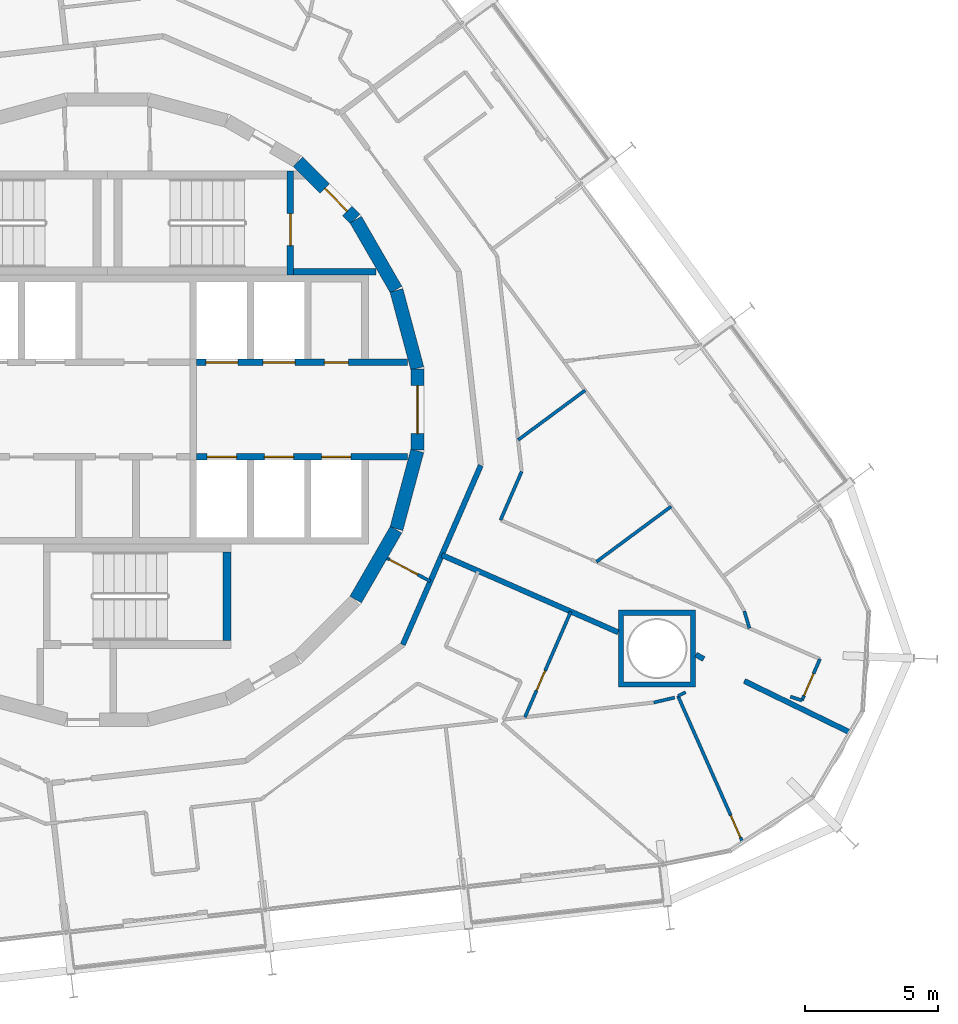
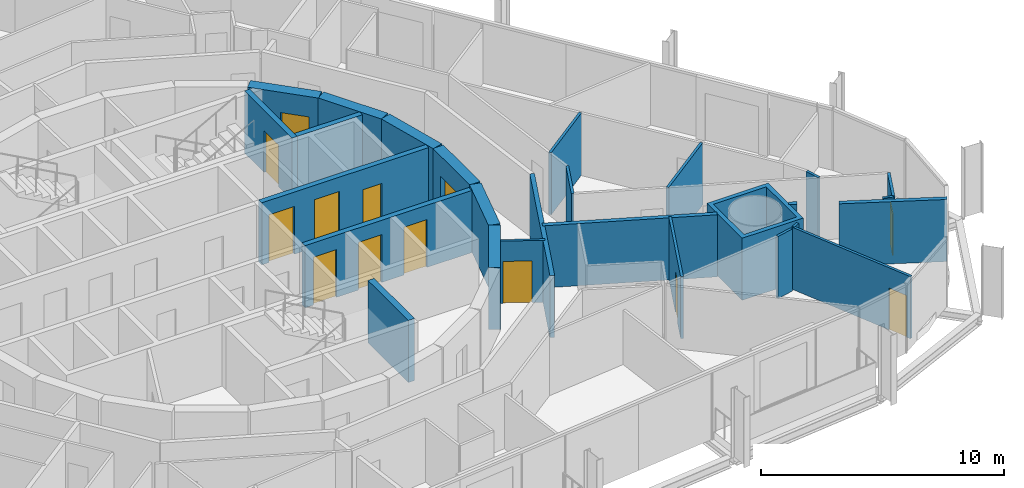
# One storey, part 17 of 22: 27 walls, 13 doors, 13 openings.
"""IFC4 building model written with IfcOpenShell, lengths in metres."""

from ifc_helpers import new_model, si_unit, direction, frame, frame_2d, origin, place, context, subcontext, project, spatial, polyline, rectangle, outline, extrude, material, layer, layer_set, type_object, element, fill, save


model = new_model("IFC4")

# Units and contexts
model_context = context("Model", 3, precision=1e-05, world=origin(), true_north=direction((0.0, 1.0)))
body_context = subcontext(model_context, "Body", "Model", "MODEL_VIEW")
ifc_project = project(units=[si_unit("LENGTHUNIT", "METRE"), si_unit("AREAUNIT", "SQUARE_METRE"), si_unit("VOLUMEUNIT", "CUBIC_METRE"), si_unit("PLANEANGLEUNIT", "RADIAN"), si_unit("MASSUNIT", "GRAM", prefix="KILO")], contexts=[model_context])

# Site, building, storey
site_placement = place(None, origin())
site = spatial("IfcSite", under=ifc_project, at=site_placement, CompositionType="ELEMENT")
building_placement = place(site_placement, origin())
building = spatial("IfcBuilding", under=site, at=building_placement, Name="Spindle Arch Residences", CompositionType="ELEMENT")
storey_placement = place(building_placement, frame((0.0, 0.0, 80.199951171875)))
storey = spatial("IfcBuildingStorey", under=building, at=storey_placement, Name="L18", CompositionType="ELEMENT", Elevation=80.199951171875)

# Walls
ifc_material_1 = material(Name="Concrete C50/60", Category="concrete")
ifc_layer_1 = layer(ifc_material_1, 0.5)
ifc_layer_set_1 = layer_set([ifc_layer_1], Name="Core outline wall 500")
wall_type_1 = type_object("IfcWallType", Name="Core outline wall 500", PredefinedType="SHEAR", material=ifc_layer_set_1)
for number, where, z_axis, x_axis, name in (
    (1, (9.32861328125, -7.13671875, 0.0), (0.0, 0.0, 1.0), (0.500087131594, 0.865975092491, 0.0), "Core outline wall 4"),
    (2, (10.858154296875, -4.479248046875, 0.0), (0.0, 0.0, 1.0), (0.258734743916, 0.965948410781, 0.0), "Core outline wall 5"),
):
    element("IfcWall", number, at=place(storey_placement, frame(where, z_axis=z_axis, x_axis=x_axis)), inside=storey, type_object=wall_type_1, Name=name, PredefinedType="SHEAR", context=body_context, shape_type="SweptSolid", body=[
        extrude(rectangle(XDim=3.03271484375, YDim=0.5, at=frame_2d((1.516357421875, 0.0))), origin(), (0.0, 0.0, 1.0), 3.1201171875),
    ])

# Wall, opening, door
wall_1_placement = place(storey_placement, frame((11.647216796875, -1.516357421875, 0.0), z_axis=(0.0, 0.0, 1.0), x_axis=(0.0, 1.0, 0.0)))
wall_1 = element("IfcWall", 3, at=wall_1_placement, inside=storey, type_object=wall_type_1, Name="Core outline wall 6", PredefinedType="SHEAR", context=body_context, shape_type="SweptSolid", body=[
    extrude(rectangle(XDim=3.03271484375, YDim=0.5, at=frame_2d((1.516357421875, 0.0))), origin(), (0.0, 0.0, 1.0), 3.1201171875),
])
opening_1_placement = place(wall_1_placement, frame((0.6162109375, 0.0, 0.0)))
opening_1 = element("IfcOpeningElement", 4, at=opening_1_placement, cuts=wall_1, Name="Opening R2A1-FE01", PredefinedType="OPENING", context=body_context, shape_type="SweptSolid", body=[
    extrude(rectangle(XDim=1.800048828125, YDim=2.10009765625, at=frame_2d((0.89990234375, 1.050048828125))), frame((0.0, 0.260009765625, 0.0), z_axis=(0.0, -1.0, 0.0), x_axis=(1.0, 0.0, 0.0)), (0.0, 0.0, 1.0), 0.52001953125),
])
ifc_material_2 = material(Name="Steel, fire-resisting door", Category="steel")
door_type_1 = type_object("IfcDoorType", Name="Fire-lift lobby door 1800x2100", OperationType="DOUBLE_DOOR_SINGLE_SWING", PredefinedType="DOOR", material=ifc_material_2)
door_1_placement = place(opening_1_placement, origin())
door_1 = element("IfcDoor", 5, at=door_1_placement, inside=storey, type_object=door_type_1, Name="Fire-lift lobby door R2A1-FE01", OperationType="DOUBLE_DOOR_SINGLE_SWING", OverallHeight=2.10009765625, OverallWidth=1.800048828125, PredefinedType="DOOR", context=body_context, shape_type="SweptSolid", body=[
    extrude(rectangle(XDim=1.800048828125, YDim=2.10009765625, at=frame_2d((0.89990234375, 1.050048828125))), frame((0.0, 0.02490234375, 0.0), z_axis=(0.0, -1.0, 0.0), x_axis=(1.0, 0.0, 0.0)), (0.0, 0.0, 1.0), 0.050048828125),
])
fill(opening_1, door_1)

# Walls
for number, where, z_axis, x_axis, name in (
    (6, (11.642822265625, 1.5498046875, 0.0), (0.0, 0.0, 1.0), (-0.258734743916, 0.965948410781, 0.0), "Core outline wall 7"),
    (7, (10.84521484375, 4.510498046875, 0.0), (0.0, 0.0, 1.0), (-0.500087131594, 0.865975092491, 0.0), "Core outline wall 8"),
):
    element("IfcWall", number, at=place(storey_placement, frame(where, z_axis=z_axis, x_axis=x_axis)), inside=storey, type_object=wall_type_1, Name=name, PredefinedType="SHEAR", context=body_context, shape_type="SweptSolid", body=[
        extrude(rectangle(XDim=3.03271484375, YDim=0.5, at=frame_2d((1.516357421875, 0.0))), origin(), (0.0, 0.0, 1.0), 3.1201171875),
    ])

# Wall, opening, door
wall_2_placement = place(storey_placement, frame((9.30810546875, 7.163818359375, 0.0), z_axis=(0.0, 0.0, 1.0), x_axis=(-0.707106781187, 0.707106781187, 0.0)))
wall_2 = element("IfcWall", 8, at=wall_2_placement, inside=storey, type_object=wall_type_1, Name="Core outline wall 9", PredefinedType="SHEAR", context=body_context, shape_type="SweptSolid", body=[
    extrude(rectangle(XDim=3.032470703125, YDim=0.5, at=frame_2d((1.51611328125, 0.0))), origin(), (0.0, 0.0, 1.0), 3.1201171875),
])
opening_2_placement = place(wall_2_placement, frame((0.416259765625, 0.0, 0.0)))
opening_2 = element("IfcOpeningElement", 9, at=opening_2_placement, cuts=wall_2, Name="Opening R2A1-AD01", PredefinedType="OPENING", context=body_context, shape_type="SweptSolid", body=[
    extrude(rectangle(XDim=1.199951171875, YDim=2.10009765625, at=frame_2d((0.60009765625, 1.050048828125))), frame((0.0, 0.260009765625, 0.0), z_axis=(0.0, -1.0, 0.0), x_axis=(1.0, 0.0, 0.0)), (0.0, 0.0, 1.0), 0.52001953125),
])
ifc_material_3 = material(Name="Steel, fire-resisting door", Category="steel")
door_type_2 = type_object("IfcDoorType", Name="Stair airlock door 1200x2100", OperationType="SINGLE_SWING_LEFT", PredefinedType="DOOR", material=ifc_material_3)
door_2_placement = place(opening_2_placement, origin())
door_2 = element("IfcDoor", 10, at=door_2_placement, inside=storey, type_object=door_type_2, Name="Stair airlock door R2A1-AD01", OperationType="SINGLE_SWING_RIGHT", OverallHeight=2.10009765625, OverallWidth=1.199951171875, PredefinedType="DOOR", context=body_context, shape_type="SweptSolid", body=[
    extrude(rectangle(XDim=1.199951171875, YDim=2.10009765625, at=frame_2d((0.60009765625, 1.050048828125))), frame((0.0, 0.02490234375, 0.0), z_axis=(0.0, -1.0, 0.0), x_axis=(1.0, 0.0, 0.0)), (0.0, 0.0, 1.0), 0.050048828125),
])
fill(opening_2, door_2)

ifc_material_4 = material(Name="Plasterboard on steel studs", Category="steel")
ifc_layer_2 = layer(ifc_material_4, 0.1201171875)
ifc_layer_set_2 = layer_set([ifc_layer_2], Name="Corridor division wall 120")
wall_type_2 = type_object("IfcWallType", Name="Corridor division wall 120", PredefinedType="PARTITIONING", material=ifc_layer_set_2)
wall_3_placement = place(storey_placement, frame((10.510986328125, -5.5888671875, 0.0), z_axis=(0.0, 0.0, 1.0), x_axis=(0.882962602189, -0.469443333253, 0.0)))
wall_3 = element("IfcWall", 11, at=wall_3_placement, inside=storey, type_object=wall_type_2, Name="Corridor division wall R2A1-W002", PredefinedType="PARTITIONING", context=body_context, shape_type="SweptSolid", body=[
    extrude(rectangle(XDim=1.837890625, YDim=0.1201171875, at=frame_2d((0.9189453125, 0.0))), origin(), (0.0, 0.0, 1.0), 3.1201171875),
])
opening_3_placement = place(wall_3_placement, frame((0.10009765625, 0.0, 0.0)))
opening_3 = element("IfcOpeningElement", 12, at=opening_3_placement, cuts=wall_3, Name="Opening R2A1-CD02", PredefinedType="OPENING", context=body_context, shape_type="SweptSolid", body=[
    extrude(rectangle(XDim=1.199951171875, YDim=2.10009765625, at=frame_2d((0.60009765625, 1.050048828125))), frame((0.0, 0.070068359375, 0.0), z_axis=(0.0, -1.0, 0.0), x_axis=(1.0, 0.0, 0.0)), (0.0, 0.0, 1.0), 0.14013671875),
])
ifc_material_5 = material(Name="Steel, fire-resisting door", Category="steel")
door_type_3 = type_object("IfcDoorType", Name="Corridor division door 1200x2100", OperationType="NOTDEFINED", PredefinedType="DOOR", material=ifc_material_5)
door_3_placement = place(opening_3_placement, origin())
door_3 = element("IfcDoor", 13, at=door_3_placement, inside=storey, type_object=door_type_3, Name="Corridor division door R2A1-CD02", OperationType="DOUBLE_DOOR_SINGLE_SWING", OverallHeight=2.10009765625, OverallWidth=1.199951171875, PredefinedType="DOOR", context=body_context, shape_type="SweptSolid", body=[
    extrude(rectangle(XDim=1.199951171875, YDim=2.10009765625, at=frame_2d((0.60009765625, 1.050048828125))), frame((0.0, 0.02490234375, 0.0), z_axis=(0.0, -1.0, 0.0), x_axis=(1.0, 0.0, 0.0)), (0.0, 0.0, 1.0), 0.050048828125),
])
fill(opening_3, door_3)

# Wall
ifc_material_6 = material(Name="Calcium silicate block, plastered")
ifc_layer_3 = layer(ifc_material_6, 0.199951171875)
ifc_layer_set_3 = layer_set([ifc_layer_3], Name="Corridor wall 200")
wall_type_3 = type_object("IfcWallType", Name="Corridor wall 200", PredefinedType="STANDARD", material=ifc_layer_set_3)
wall_4_placement = place(storey_placement, frame((11.10009765625, -8.829345703125, 0.0), z_axis=(0.0, 0.0, 1.0), x_axis=(0.398741918631, 0.917063183388, 0.0)))
element("IfcWall", 14, at=wall_4_placement, inside=storey, type_object=wall_type_3, Name="Corridor wall R2A1-W004", PredefinedType="STANDARD", context=body_context, shape_type="SweptSolid", body=[
    extrude(rectangle(XDim=7.341796875, YDim=0.199951171875, at=frame_2d((3.6708984375, 0.0))), origin(), (0.0, 0.0, 1.0), 3.1201171875),
])

# Wall, openings, doors
ifc_material_7 = material(Name="Concrete C40/50", Category="concrete")
ifc_layer_4 = layer(ifc_material_7, 0.25)
ifc_layer_set_4 = layer_set([ifc_layer_4], Name="Fire-lift lobby wall 250")
wall_type_4 = type_object("IfcWallType", Name="Fire-lift lobby wall 250", PredefinedType="SHEAR", material=ifc_layer_set_4)
wall_5_placement = place(storey_placement, frame((3.35009765625, 1.77490234375, 0.0), z_axis=(0.0, 0.0, 1.0), x_axis=(1.0, 0.0, 0.0)))
wall_5 = element("IfcWall", 15, at=wall_5_placement, inside=storey, type_object=wall_type_4, Name="Lift shaft front wall NE", PredefinedType="SHEAR", context=body_context, shape_type="SweptSolid", body=[
    extrude(rectangle(XDim=7.929931640625, YDim=0.25, at=frame_2d((3.96484375, 0.0))), origin(), (0.0, 0.0, 1.0), 3.1201171875),
])
opening_4_placement = place(wall_5_placement, frame((0.35009765625, 0.0, 0.0)))
opening_4 = element("IfcOpeningElement", 16, at=opening_4_placement, cuts=wall_5, Name="Opening R2A1-SLD01", PredefinedType="OPENING", context=body_context, shape_type="SweptSolid", body=[
    extrude(rectangle(XDim=1.199951171875, YDim=2.39990234375, at=frame_2d((0.60009765625, 1.199951171875))), frame((0.0, 0.135009765625, 0.0), z_axis=(0.0, -1.0, 0.0), x_axis=(1.0, 0.0, 0.0)), (0.0, 0.0, 1.0), 0.27001953125),
])
opening_5_placement = place(wall_5_placement, frame((2.5, 0.0, 0.0)))
opening_5 = element("IfcOpeningElement", 17, at=opening_5_placement, cuts=wall_5, Name="Opening R2A1-SLD02", PredefinedType="OPENING", context=body_context, shape_type="SweptSolid", body=[
    extrude(rectangle(XDim=1.199951171875, YDim=2.39990234375, at=frame_2d((0.60009765625, 1.199951171875))), frame((0.0, 0.135009765625, 0.0), z_axis=(0.0, -1.0, 0.0), x_axis=(1.0, 0.0, 0.0)), (0.0, 0.0, 1.0), 0.27001953125),
])
opening_6_placement = place(wall_5_placement, frame((4.800048828125, 0.0, 0.0)))
opening_6 = element("IfcOpeningElement", 18, at=opening_6_placement, cuts=wall_5, Name="Opening R2A1-WD02", PredefinedType="OPENING", context=body_context, shape_type="SweptSolid", body=[
    extrude(rectangle(XDim=0.89990234375, YDim=2.10009765625, at=frame_2d((0.449951171875, 1.050048828125))), frame((0.0, 0.135009765625, 0.0), z_axis=(0.0, -1.0, 0.0), x_axis=(1.0, 0.0, 0.0)), (0.0, 0.0, 1.0), 0.27001953125),
])
ifc_material_8 = material(Name="Steel, fire-resisting landing door", Category="steel")
door_type_4 = type_object("IfcDoorType", Name="Service lift landing door 1200x2400", OperationType="DOUBLE_DOOR_SLIDING", PredefinedType="DOOR", material=ifc_material_8)
door_4_placement = place(opening_4_placement, origin())
door_4 = element("IfcDoor", 19, at=door_4_placement, inside=storey, type_object=door_type_4, Name="Service lift landing door R2A1-SLD01", OperationType="DOUBLE_DOOR_SLIDING", OverallHeight=2.39990234375, OverallWidth=1.199951171875, PredefinedType="DOOR", context=body_context, shape_type="SweptSolid", body=[
    extrude(rectangle(XDim=1.199951171875, YDim=2.39990234375, at=frame_2d((0.60009765625, 1.199951171875))), frame((0.0, 0.02490234375, 0.0), z_axis=(0.0, -1.0, 0.0), x_axis=(1.0, 0.0, 0.0)), (0.0, 0.0, 1.0), 0.050048828125),
])
fill(opening_4, door_4)
door_5_placement = place(opening_5_placement, origin())
door_5 = element("IfcDoor", 20, at=door_5_placement, inside=storey, type_object=door_type_4, Name="Service lift landing door R2A1-SLD02", OperationType="DOUBLE_DOOR_SLIDING", OverallHeight=2.39990234375, OverallWidth=1.199951171875, PredefinedType="DOOR", context=body_context, shape_type="SweptSolid", body=[
    extrude(rectangle(XDim=1.199951171875, YDim=2.39990234375, at=frame_2d((0.60009765625, 1.199951171875))), frame((0.0, 0.02490234375, 0.0), z_axis=(0.0, -1.0, 0.0), x_axis=(1.0, 0.0, 0.0)), (0.0, 0.0, 1.0), 0.050048828125),
])
fill(opening_5, door_5)
ifc_material_9 = material(Name="Steel, fire-resisting door", Category="steel")
door_type_5 = type_object("IfcDoorType", Name="Service room door 900x2100", OperationType="SINGLE_SWING_LEFT", PredefinedType="DOOR", material=ifc_material_9)
door_6_placement = place(opening_6_placement, origin())
door_6 = element("IfcDoor", 21, at=door_6_placement, inside=storey, type_object=door_type_5, Name="Service room door R2A1-WD02", OperationType="SINGLE_SWING_LEFT", OverallHeight=2.10009765625, OverallWidth=0.89990234375, PredefinedType="DOOR", context=body_context, shape_type="SweptSolid", body=[
    extrude(rectangle(XDim=0.89990234375, YDim=2.10009765625, at=frame_2d((0.449951171875, 1.050048828125))), frame((0.0, 0.02490234375, 0.0), z_axis=(0.0, -1.0, 0.0), x_axis=(1.0, 0.0, 0.0)), (0.0, 0.0, 1.0), 0.050048828125),
])
fill(opening_6, door_6)

ifc_material_10 = material(Name="Concrete C50/60", Category="concrete")
ifc_layer_5 = layer(ifc_material_10, 0.25)
ifc_layer_set_5 = layer_set([ifc_layer_5], Name="Fire-lift shaft wall 250")
wall_type_5 = type_object("IfcWallType", Name="Fire-lift shaft wall 250", PredefinedType="SHEAR", material=ifc_layer_set_5)
wall_6_placement = place(storey_placement, frame((3.35009765625, -1.77490234375, 0.0), z_axis=(0.0, 0.0, 1.0), x_axis=(1.0, 0.0, 0.0)))
wall_6 = element("IfcWall", 22, at=wall_6_placement, inside=storey, type_object=wall_type_5, Name="Lift shaft front wall SE", PredefinedType="SHEAR", context=body_context, shape_type="SweptSolid", body=[
    extrude(rectangle(XDim=7.929931640625, YDim=0.25, at=frame_2d((3.96484375, 0.0))), origin(), (0.0, 0.0, 1.0), 3.1201171875),
])
opening_7_placement = place(wall_6_placement, frame((0.39990234375, 0.0, 0.0)))
opening_7 = element("IfcOpeningElement", 23, at=opening_7_placement, cuts=wall_6, Name="Opening R2A1-FLD01", PredefinedType="OPENING", context=body_context, shape_type="SweptSolid", body=[
    extrude(rectangle(XDim=1.10009765625, YDim=2.39990234375, at=frame_2d((0.550048828125, 1.199951171875))), frame((0.0, 0.135009765625, 0.0), z_axis=(0.0, -1.0, 0.0), x_axis=(1.0, 0.0, 0.0)), (0.0, 0.0, 1.0), 0.27001953125),
])
opening_8_placement = place(wall_6_placement, frame((2.550048828125, 0.0, 0.0)))
opening_8 = element("IfcOpeningElement", 24, at=opening_8_placement, cuts=wall_6, Name="Opening R2A1-FLD02", PredefinedType="OPENING", context=body_context, shape_type="SweptSolid", body=[
    extrude(rectangle(XDim=1.10009765625, YDim=2.39990234375, at=frame_2d((0.550048828125, 1.199951171875))), frame((0.0, 0.135009765625, 0.0), z_axis=(0.0, -1.0, 0.0), x_axis=(1.0, 0.0, 0.0)), (0.0, 0.0, 1.0), 0.27001953125),
])
opening_9_placement = place(wall_6_placement, frame((4.699951171875, 0.0, 0.0)))
opening_9 = element("IfcOpeningElement", 25, at=opening_9_placement, cuts=wall_6, Name="Opening R2A1-FLD03", PredefinedType="OPENING", context=body_context, shape_type="SweptSolid", body=[
    extrude(rectangle(XDim=1.10009765625, YDim=2.39990234375, at=frame_2d((0.550048828125, 1.199951171875))), frame((0.0, 0.135009765625, 0.0), z_axis=(0.0, -1.0, 0.0), x_axis=(1.0, 0.0, 0.0)), (0.0, 0.0, 1.0), 0.27001953125),
])
ifc_material_11 = material(Name="Steel, fire-resisting landing door", Category="steel")
door_type_6 = type_object("IfcDoorType", Name="Fire-fighting lift landing door 1100x2400", OperationType="DOUBLE_DOOR_SLIDING", PredefinedType="DOOR", material=ifc_material_11)
door_7_placement = place(opening_7_placement, origin())
door_7 = element("IfcDoor", 26, at=door_7_placement, inside=storey, type_object=door_type_6, Name="Fire-fighting lift landing door R2A1-FLD01", OperationType="DOUBLE_DOOR_SLIDING", OverallHeight=2.39990234375, OverallWidth=1.10009765625, PredefinedType="DOOR", context=body_context, shape_type="SweptSolid", body=[
    extrude(rectangle(XDim=1.10009765625, YDim=2.39990234375, at=frame_2d((0.550048828125, 1.199951171875))), frame((0.0, 0.02490234375, 0.0), z_axis=(0.0, -1.0, 0.0), x_axis=(1.0, 0.0, 0.0)), (0.0, 0.0, 1.0), 0.050048828125),
])
fill(opening_7, door_7)
door_8_placement = place(opening_8_placement, origin())
door_8 = element("IfcDoor", 27, at=door_8_placement, inside=storey, type_object=door_type_6, Name="Fire-fighting lift landing door R2A1-FLD02", OperationType="DOUBLE_DOOR_SLIDING", OverallHeight=2.39990234375, OverallWidth=1.10009765625, PredefinedType="DOOR", context=body_context, shape_type="SweptSolid", body=[
    extrude(rectangle(XDim=1.10009765625, YDim=2.39990234375, at=frame_2d((0.550048828125, 1.199951171875))), frame((0.0, 0.02490234375, 0.0), z_axis=(0.0, -1.0, 0.0), x_axis=(1.0, 0.0, 0.0)), (0.0, 0.0, 1.0), 0.050048828125),
])
fill(opening_8, door_8)
door_9_placement = place(opening_9_placement, origin())
door_9 = element("IfcDoor", 28, at=door_9_placement, inside=storey, type_object=door_type_6, Name="Fire-fighting lift landing door R2A1-FLD03", OperationType="DOUBLE_DOOR_SLIDING", OverallHeight=2.39990234375, OverallWidth=1.10009765625, PredefinedType="DOOR", context=body_context, shape_type="SweptSolid", body=[
    extrude(rectangle(XDim=1.10009765625, YDim=2.39990234375, at=frame_2d((0.550048828125, 1.199951171875))), frame((0.0, 0.02490234375, 0.0), z_axis=(0.0, -1.0, 0.0), x_axis=(1.0, 0.0, 0.0)), (0.0, 0.0, 1.0), 0.050048828125),
])
fill(opening_9, door_9)

# Wall
ifc_material_12 = material(Name="Plasterboard on steel studs", Category="steel")
ifc_layer_6 = layer(ifc_material_12, 0.1201171875)
ifc_layer_set_6 = layer_set([ifc_layer_6], Name="Flat partition 120")
wall_type_6 = type_object("IfcWallType", Name="Flat partition 120", PredefinedType="PARTITIONING", material=ifc_layer_set_6)
wall_7_placement = place(storey_placement, frame((25.65869140625, -10.783203125, 0.0), z_axis=(0.0, 0.0, 1.0), x_axis=(0.948362418423, -0.317188781837, 0.0)))
element("IfcWall", 29, at=wall_7_placement, inside=storey, type_object=wall_type_6, Name="Flat partition R2A1-W034", PredefinedType="PARTITIONING", context=body_context, shape_type="SweptSolid", body=[
    extrude(rectangle(XDim=0.457275390625, YDim=0.1201171875, at=frame_2d((0.228515625, 0.0))), origin(), (0.0, 0.0, 1.0), 3.1201171875),
])

# Wall, opening, door
wall_8_placement = place(storey_placement, frame((26.09228515625, -10.92822265625, 0.0), z_axis=(0.0, 0.0, 1.0), x_axis=(0.398783871208, 0.917044941137, 0.0)))
wall_8 = element("IfcWall", 30, at=wall_8_placement, inside=storey, type_object=wall_type_6, Name="Flat partition R2A1-W035", PredefinedType="PARTITIONING", context=body_context, shape_type="SweptSolid", body=[
    extrude(rectangle(XDim=1.7001953125, YDim=0.1201171875, at=frame_2d((0.85009765625, 0.0))), origin(), (0.0, 0.0, 1.0), 3.1201171875),
])
opening_10_placement = place(wall_8_placement, frame((0.199951171875, 0.0, 0.0)))
opening_10 = element("IfcOpeningElement", 31, at=opening_10_placement, cuts=wall_8, Name="Opening R2A1-ID02", PredefinedType="OPENING", context=body_context, shape_type="SweptSolid", body=[
    extrude(rectangle(XDim=0.89990234375, YDim=2.10009765625, at=frame_2d((0.449951171875, 1.050048828125))), frame((0.0, 0.070068359375, 0.0), z_axis=(0.0, -1.0, 0.0), x_axis=(1.0, 0.0, 0.0)), (0.0, 0.0, 1.0), 0.14013671875),
])
ifc_material_13 = material(Name="Timber door set", Category="wood")
door_type_7 = type_object("IfcDoorType", Name="Room door 900x2100", OperationType="NOTDEFINED", PredefinedType="DOOR", material=ifc_material_13)
door_10_placement = place(opening_10_placement, origin())
door_10 = element("IfcDoor", 32, at=door_10_placement, inside=storey, type_object=door_type_7, Name="Room door R2A1-ID02", OperationType="SINGLE_SWING_LEFT", OverallHeight=2.10009765625, OverallWidth=0.89990234375, PredefinedType="DOOR", context=body_context, shape_type="SweptSolid", body=[
    extrude(rectangle(XDim=0.89990234375, YDim=2.10009765625, at=frame_2d((0.449951171875, 1.050048828125))), frame((0.0, 0.02490234375, 0.0), z_axis=(0.0, -1.0, 0.0), x_axis=(1.0, 0.0, 0.0)), (0.0, 0.0, 1.0), 0.050048828125),
])
fill(opening_10, door_10)

# Walls
wall_9_placement = place(storey_placement, frame((14.769775390625, -4.151123046875, 0.0), z_axis=(0.0, 0.0, 1.0), x_axis=(0.39868125503, 0.917089557725, 0.0)))
element("IfcWall", 33, at=wall_9_placement, inside=storey, type_object=wall_type_6, Name="Flat partition R2A1-W037", PredefinedType="PARTITIONING", context=body_context, shape_type="SweptSolid", body=[
    extrude(rectangle(XDim=1.990234375, YDim=0.1201171875, at=frame_2d((0.9951171875, 0.0))), origin(), (0.0, 0.0, 1.0), 3.1201171875),
])
wall_10_placement = place(storey_placement, frame((15.428466796875, -1.1416015625, 0.0), z_axis=(0.0, 0.0, 1.0), x_axis=(0.803871695022, 0.594802738681, 0.0)))
element("IfcWall", 34, at=wall_10_placement, inside=storey, type_object=wall_type_6, Name="Flat partition R2A1-W039", PredefinedType="PARTITIONING", context=body_context, shape_type="SweptSolid", body=[
    extrude(rectangle(XDim=3.13427734375, YDim=0.1201171875, at=frame_2d((1.567138671875, 0.0))), origin(), (0.0, 0.0, 1.0), 3.1201171875),
])
wall_11_placement = place(storey_placement, frame((23.9296875, -7.573486328125, 0.0), z_axis=(0.0, 0.0, 1.0), x_axis=(0.28441027407, -0.958702662979, 0.0)))
element("IfcWall", 35, at=wall_11_placement, inside=storey, type_object=wall_type_6, Name="Flat partition R2A1-W044", PredefinedType="PARTITIONING", context=body_context, shape_type="SweptSolid", body=[
    extrude(rectangle(XDim=0.67138671875, YDim=0.1201171875, at=frame_2d((0.335693359375, 0.0))), origin(), (0.0, 0.0, 1.0), 3.1201171875),
])
wall_12_placement = place(storey_placement, frame((21.17724609375, -3.641357421875, 0.0), z_axis=(0.0, 0.0, 1.0), x_axis=(-0.803878021343, -0.594794188608, 0.0)))
element("IfcWall", 36, at=wall_12_placement, inside=storey, type_object=wall_type_6, Name="Flat partition R2A1-W046", PredefinedType="PARTITIONING", context=body_context, shape_type="SweptSolid", body=[
    extrude(rectangle(XDim=3.490234375, YDim=0.1201171875, at=frame_2d((1.7451171875, 0.0))), origin(), (0.0, 0.0, 1.0), 3.1201171875),
])
wall_13_placement = place(storey_placement, frame((21.3125, -10.82080078125, 0.0), z_axis=(0.0, 0.0, 1.0), x_axis=(-0.973765266404, -0.227554841621, 0.0)))
element("IfcWall", 37, at=wall_13_placement, inside=storey, type_object=wall_type_6, Name="Flat partition R2A1-W128", PredefinedType="PARTITIONING", context=body_context, shape_type="SweptSolid", body=[
    extrude(rectangle(XDim=0.806884765625, YDim=0.1201171875, at=frame_2d((0.4033203125, 0.0))), origin(), (0.0, 0.0, 1.0), 3.1201171875),
])

# Wall, opening, door
wall_14_placement = place(storey_placement, frame((23.863525390625, -16.253173828125, 0.0), z_axis=(0.0, 0.0, 1.0), x_axis=(-0.404274566917, 0.914637673915, 0.0)))
wall_14 = element("IfcWall", 38, at=wall_14_placement, inside=storey, type_object=wall_type_6, Name="Flat partition R2A1-W129", PredefinedType="PARTITIONING", context=body_context, shape_type="SweptSolid", body=[
    extrude(rectangle(XDim=6.00634765625, YDim=0.1201171875, at=frame_2d((3.003173828125, 0.0))), origin(), (0.0, 0.0, 1.0), 3.1201171875),
])
opening_11_placement = place(wall_14_placement, frame((0.199951171875, 0.0, 0.0)))
opening_11 = element("IfcOpeningElement", 39, at=opening_11_placement, cuts=wall_14, Name="Opening R2A1-ID34", PredefinedType="OPENING", context=body_context, shape_type="SweptSolid", body=[
    extrude(rectangle(XDim=0.89990234375, YDim=2.10009765625, at=frame_2d((0.449951171875, 1.050048828125))), frame((0.0, 0.070068359375, 0.0), z_axis=(0.0, -1.0, 0.0), x_axis=(1.0, 0.0, 0.0)), (0.0, 0.0, 1.0), 0.14013671875),
])
door_11_placement = place(opening_11_placement, origin())
door_11 = element("IfcDoor", 40, at=door_11_placement, inside=storey, type_object=door_type_7, Name="Room door R2A1-ID34", OperationType="SINGLE_SWING_RIGHT", OverallHeight=2.10009765625, OverallWidth=0.89990234375, PredefinedType="DOOR", context=body_context, shape_type="SweptSolid", body=[
    extrude(rectangle(XDim=0.89990234375, YDim=2.10009765625, at=frame_2d((0.449951171875, 1.050048828125))), frame((0.0, 0.02490234375, 0.0), z_axis=(0.0, -1.0, 0.0), x_axis=(1.0, 0.0, 0.0)), (0.0, 0.0, 1.0), 0.050048828125),
])
fill(opening_11, door_11)

wall_15_placement = place(storey_placement, frame((15.685546875, -11.55615234375, 0.0), z_axis=(0.0, 0.0, 1.0), x_axis=(0.398740569839, 0.917063769846, 0.0)))
wall_15 = element("IfcWall", 41, at=wall_15_placement, inside=storey, type_object=wall_type_6, Name="Flat partition R2A1-W130", PredefinedType="PARTITIONING", context=body_context, shape_type="SweptSolid", body=[
    extrude(rectangle(XDim=4.322021484375, YDim=0.1201171875, at=frame_2d((2.1611328125, 0.0))), origin(), (0.0, 0.0, 1.0), 3.1201171875),
])
opening_12_placement = place(wall_15_placement, frame((1.10009765625, 0.0, 0.0)))
opening_12 = element("IfcOpeningElement", 42, at=opening_12_placement, cuts=wall_15, Name="Opening R2A1-BD08", PredefinedType="OPENING", context=body_context, shape_type="SweptSolid", body=[
    extrude(rectangle(XDim=0.800048828125, YDim=2.10009765625, at=frame_2d((0.39990234375, 1.050048828125))), frame((0.0, 0.070068359375, 0.0), z_axis=(0.0, -1.0, 0.0), x_axis=(1.0, 0.0, 0.0)), (0.0, 0.0, 1.0), 0.14013671875),
])
ifc_material_14 = material(Name="Timber door set", Category="wood")
door_type_8 = type_object("IfcDoorType", Name="Bathroom door 800x2100", OperationType="NOTDEFINED", PredefinedType="DOOR", material=ifc_material_14)
door_12_placement = place(opening_12_placement, origin())
door_12 = element("IfcDoor", 43, at=door_12_placement, inside=storey, type_object=door_type_8, Name="Bathroom door R2A1-BD08", OperationType="SINGLE_SWING_RIGHT", OverallHeight=2.10009765625, OverallWidth=0.800048828125, PredefinedType="DOOR", context=body_context, shape_type="SweptSolid", body=[
    extrude(rectangle(XDim=0.800048828125, YDim=2.10009765625, at=frame_2d((0.39990234375, 1.050048828125))), frame((0.0, 0.02490234375, 0.0), z_axis=(0.0, -1.0, 0.0), x_axis=(1.0, 0.0, 0.0)), (0.0, 0.0, 1.0), 0.050048828125),
])
fill(opening_12, door_12)

# Walls
wall_16_placement = place(storey_placement, frame((21.435302734375, -10.759521484375, 0.0), z_axis=(0.0, 0.0, 1.0), x_axis=(0.895041493646, 0.445982874841, 0.0)))
element("IfcWall", 44, at=wall_16_placement, inside=storey, type_object=wall_type_6, Name="Flat partition R2A1-W131", PredefinedType="PARTITIONING", context=body_context, shape_type="SweptSolid", body=[
    extrude(rectangle(XDim=0.3173828125, YDim=0.1201171875, at=frame_2d((0.15869140625, 0.0))), origin(), (0.0, 0.0, 1.0), 3.1201171875),
])
ifc_material_15 = material(Name="Calcium silicate block, plastered")
ifc_layer_7 = layer(ifc_material_15, 0.199951171875)
ifc_layer_set_7 = layer_set([ifc_layer_7], Name="Flat party wall 200")
wall_type_7 = type_object("IfcWallType", Name="Flat party wall 200", PredefinedType="STANDARD", material=ifc_layer_set_7)
wall_17_placement = place(storey_placement, frame((12.563720703125, -5.462890625, 0.0), z_axis=(0.0, 0.0, 1.0), x_axis=(0.915914014963, -0.401374534812, 0.0)))
element("IfcWall", 45, at=wall_17_placement, inside=storey, type_object=wall_type_7, Name="Flat party wall R2A1-W017", PredefinedType="STANDARD", context=body_context, shape_type="SweptSolid", body=[
    extrude(rectangle(XDim=7.23583984375, YDim=0.199951171875, at=frame_2d((3.617919921875, 0.0))), origin(), (0.0, 0.0, 1.0), 3.1201171875),
])
wall_18_placement = place(storey_placement, frame((22.107666015625, -9.20654296875, 0.0), z_axis=(0.0, 0.0, 1.0), x_axis=(0.878251516807, -0.478198989151, 0.0)))
element("IfcWall", 46, at=wall_18_placement, inside=storey, type_object=wall_type_7, Name="Flat party wall R2A1-W018", PredefinedType="STANDARD", context=body_context, shape_type="SweptSolid", body=[
    extrude(rectangle(XDim=0.340576171875, YDim=0.199951171875, at=frame_2d((0.17041015625, 0.0))), origin(), (0.0, 0.0, 1.0), 3.1201171875),
])
wall_19_placement = place(storey_placement, frame((23.929443359375, -10.197998046875, 0.0), z_axis=(0.0, 0.0, 1.0), x_axis=(0.899252572086, -0.437429779046, 0.0)))
element("IfcWall", 47, at=wall_19_placement, inside=storey, type_object=wall_type_7, Name="Flat party wall R2A1-W019", PredefinedType="STANDARD", context=body_context, shape_type="SweptSolid", body=[
    extrude(rectangle(XDim=4.453857421875, YDim=0.199951171875, at=frame_2d((2.22705078125, 0.0))), origin(), (0.0, 0.0, 1.0), 3.1201171875),
])
ifc_material_16 = material(Name="Calcium silicate block, plastered")
ifc_layer_8 = layer(ifc_material_16, 0.199951171875)
ifc_layer_set_8 = layer_set([ifc_layer_8], Name="Mega-column casing wall 200")
wall_type_8 = type_object("IfcWallType", Name="Mega-column casing wall 200", PredefinedType="STANDARD", material=ifc_layer_set_8)
wall_20_placement = place(storey_placement, origin())
element("IfcWall", 48, at=wall_20_placement, inside=storey, type_object=wall_type_8, Name="Mega-column casing wall R2A1-WC03", PredefinedType="STANDARD", context=body_context, shape_type="SweptSolid", body=[
    extrude(outline(polyline([(22.09765625, -7.52783203125), (22.09765625, -10.427734375), (19.197509765625, -10.427734375), (19.197509765625, -7.52783203125), (22.09765625, -7.52783203125)]), holes=[polyline([(19.397705078125, -10.227783203125), (21.897705078125, -10.227783203125), (21.897705078125, -7.727783203125), (19.397705078125, -7.727783203125), (19.397705078125, -10.227783203125)])]), origin(), (0.0, 0.0, 1.0), 3.1201171875),
])
ifc_material_17 = material(Name="Concrete C40/50", Category="concrete")
ifc_layer_9 = layer(ifc_material_17, 0.25)
ifc_layer_set_9 = layer_set([ifc_layer_9], Name="Stair airlock wall 250")
wall_type_9 = type_object("IfcWallType", Name="Stair airlock wall 250", PredefinedType="SHEAR", material=ifc_layer_set_9)
wall_21_placement = place(storey_placement, frame((7.0, 5.175048828125, 0.0), z_axis=(0.0, 0.0, 1.0), x_axis=(1.0, 0.0, 0.0)))
element("IfcWall", 49, at=wall_21_placement, inside=storey, type_object=wall_type_9, Name="Stair ST-1 airlock wall S", PredefinedType="SHEAR", context=body_context, shape_type="SweptSolid", body=[
    extrude(rectangle(XDim=3.10009765625, YDim=0.25, at=frame_2d((1.550048828125, 0.0))), origin(), (0.0, 0.0, 1.0), 3.1201171875),
])

# Wall, opening, door
ifc_material_18 = material(Name="Concrete C50/60", Category="concrete")
ifc_layer_10 = layer(ifc_material_18, 0.25)
ifc_layer_set_10 = layer_set([ifc_layer_10], Name="Stair enclosure wall 250")
wall_type_10 = type_object("IfcWallType", Name="Stair enclosure wall 250", PredefinedType="SHEAR", material=ifc_layer_set_10)
wall_22_placement = place(storey_placement, frame((6.875, 5.050048828125, 0.0), z_axis=(0.0, 0.0, 1.0), x_axis=(0.0, 1.0, 0.0)))
wall_22 = element("IfcWall", 50, at=wall_22_placement, inside=storey, type_object=wall_type_10, Name="Stair ST-1 door wall", PredefinedType="SHEAR", context=body_context, shape_type="SweptSolid", body=[
    extrude(rectangle(XDim=3.919921875, YDim=0.25, at=frame_2d((1.9599609375, 0.0))), origin(), (0.0, 0.0, 1.0), 3.1201171875),
])
opening_13_placement = place(wall_22_placement, frame((1.110107421875, 0.0, 0.0)))
opening_13 = element("IfcOpeningElement", 51, at=opening_13_placement, cuts=wall_22, Name="Opening R2A1-SD01", PredefinedType="OPENING", context=body_context, shape_type="SweptSolid", body=[
    extrude(rectangle(XDim=1.199951171875, YDim=2.10009765625, at=frame_2d((0.60009765625, 1.050048828125))), frame((0.0, 0.135009765625, 0.0), z_axis=(0.0, -1.0, 0.0), x_axis=(1.0, 0.0, 0.0)), (0.0, 0.0, 1.0), 0.27001953125),
])
ifc_material_19 = material(Name="Steel, fire-resisting door", Category="steel")
door_type_9 = type_object("IfcDoorType", Name="Stair door 1200x2100", OperationType="SINGLE_SWING_RIGHT", PredefinedType="DOOR", material=ifc_material_19)
door_13_placement = place(opening_13_placement, origin())
door_13 = element("IfcDoor", 52, at=door_13_placement, inside=storey, type_object=door_type_9, Name="Stair door R2A1-SD01", OperationType="SINGLE_SWING_LEFT", OverallHeight=2.10009765625, OverallWidth=1.199951171875, PredefinedType="DOOR", context=body_context, shape_type="SweptSolid", body=[
    extrude(rectangle(XDim=1.199951171875, YDim=2.10009765625, at=frame_2d((0.60009765625, 1.050048828125))), frame((0.0, 0.02490234375, 0.0), z_axis=(0.0, -1.0, 0.0), x_axis=(1.0, 0.0, 0.0)), (0.0, 0.0, 1.0), 0.050048828125),
])
fill(opening_13, door_13)

# Wall
ifc_material_20 = material(Name="Concrete C50/60", Category="concrete")
ifc_layer_11 = layer(ifc_material_20, 0.300048828125)
ifc_layer_set_11 = layer_set([ifc_layer_11], Name="Stair enclosure wall 300")
wall_type_11 = type_object("IfcWallType", Name="Stair enclosure wall 300", PredefinedType="SHEAR", material=ifc_layer_set_11)
wall_23_placement = place(storey_placement, frame((4.5, -8.669921875, 0.0), z_axis=(0.0, 0.0, 1.0), x_axis=(0.0, 1.0, 0.0)))
element("IfcWall", 53, at=wall_23_placement, inside=storey, type_object=wall_type_11, Name="Stair ST-3 enclosure wall E", PredefinedType="SHEAR", context=body_context, shape_type="SweptSolid", body=[
    extrude(rectangle(XDim=3.31982421875, YDim=0.300048828125, at=frame_2d((1.659912109375, 0.0))), origin(), (0.0, 0.0, 1.0), 3.1201171875),
])

save(model, "model.ifc")
